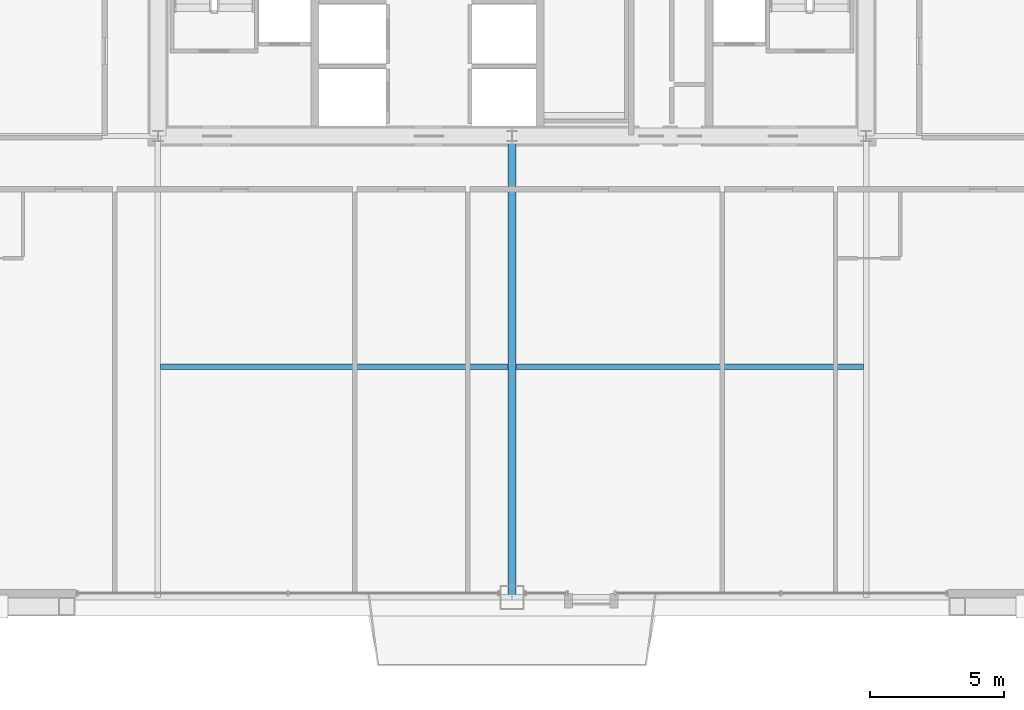
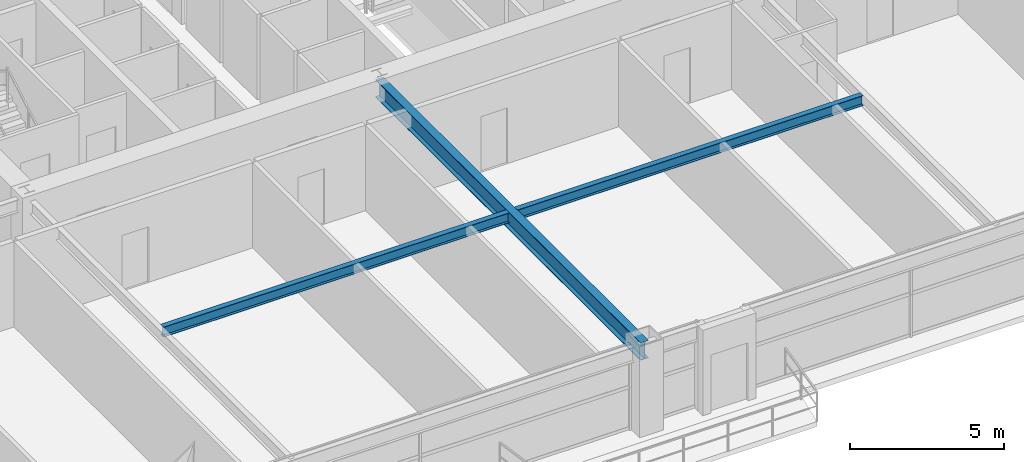
# One storey, part 10 of 41: 3 beams.
"""IFC4 building model written with IfcOpenShell, lengths in metres."""

import ifcopenshell
import ifcopenshell.guid

model = None  # the IFC model being written
_history = None  # IfcOwnerHistory: only IFC2X3 demands one
_inside = {}  # id of a spatial element -> (the spatial element, [elements in it])
_under = {}  # id of a project, library or spatial element -> (it, [spatial elements below it])
_declared = {}  # id of a project -> (the project, [libraries it declares])
_typed = {}  # id of a type object -> (the type object, [elements of that type])
_made_of = {}  # id of a material, layer set ... -> (it, [elements and type objects made of it])


def new_model(schema):
    """Start an empty IFC model of exactly this schema.

    Asked for "IFC4X3", IfcOpenShell would pick the latest addendum, in which some entities
    have other attributes; the version numbers below select the first issue.
    IFC2X3 requires an IfcOwnerHistory on every rooted entity: one is made here for all.
    """
    global model, _history
    if schema == "IFC4X3":
        model = ifcopenshell.file(schema_version=(4, 3, 0, 0))
    else:
        model = ifcopenshell.file(schema=schema)
    _inside.clear()
    _under.clear()
    _declared.clear()
    _typed.clear()
    _made_of.clear()
    _history = None
    if model.schema == "IFC2X3":
        org = make("IfcOrganization", Name="unknown")
        user = make(
            "IfcPersonAndOrganization",
            ThePerson=make("IfcPerson", FamilyName="unknown"),
            TheOrganization=org,
        )
        app = make(
            "IfcApplication",
            ApplicationDeveloper=org,
            Version="unknown",
            ApplicationFullName="unknown",
            ApplicationIdentifier="unknown",
        )
        _history = make(
            "IfcOwnerHistory",
            OwningUser=user,
            OwningApplication=app,
            ChangeAction="ADDED",
            CreationDate=0,
        )
    return model


def make(cls, **values):
    """One entity of the class cls with the attributes given. An attribute that is None is left unset."""
    return model.create_entity(
        cls, **{name: value for name, value in values.items() if value is not None}
    )


def rooted(cls, **values):
    """An entity with a GlobalId (a new one), such as an element, a storey or a relation."""
    return make(cls, GlobalId=ifcopenshell.guid.new(), OwnerHistory=_history, **values)


def si_unit(unit_type, name, prefix=None):
    """IfcSIUnit, for example si_unit("LENGTHUNIT", "METRE", prefix="MILLI")."""
    return make("IfcSIUnit", UnitType=unit_type, Prefix=prefix, Name=name)


def assignment(units):
    """IfcUnitAssignment: the units of a project."""
    return None if units is None else make("IfcUnitAssignment", Units=units)


def point(xyz):
    """IfcCartesianPoint."""
    return None if xyz is None else make("IfcCartesianPoint", Coordinates=xyz)


def direction(xyz):
    """IfcDirection."""
    return None if xyz is None else make("IfcDirection", DirectionRatios=xyz)


def frame(location, z_axis=None, x_axis=None):
    """IfcAxis2Placement3D, a coordinate frame: its origin and axes. An axis left out is left unset."""
    return make(
        "IfcAxis2Placement3D",
        Location=point(location),
        Axis=direction(z_axis),
        RefDirection=direction(x_axis),
    )


def frame_2d(location, x_axis=None):
    """IfcAxis2Placement2D, a coordinate frame in the plane: its origin and x axis."""
    return make(
        "IfcAxis2Placement2D", Location=point(location), RefDirection=direction(x_axis)
    )


def origin():
    """The frame at (0, 0, 0) with its axes left unset."""
    return frame((0.0, 0.0, 0.0))


def origin_2d():
    """The frame at (0, 0) in the plane with its x axis left unset."""
    return frame_2d((0.0, 0.0))


def place(relative_to, where):
    """IfcLocalPlacement: puts the frame where relative to a parent placement (None: the world)."""
    return make(
        "IfcLocalPlacement", PlacementRelTo=relative_to, RelativePlacement=where
    )


def context(
    kind, dimensions, precision=None, world=None, true_north=None, identifier=None
):
    """IfcGeometricRepresentationContext, for example the 3D "Model" context."""
    return make(
        "IfcGeometricRepresentationContext",
        ContextIdentifier=identifier,
        ContextType=kind,
        CoordinateSpaceDimension=dimensions,
        Precision=precision,
        WorldCoordinateSystem=world,
        TrueNorth=true_north,
    )


def subcontext(parent, identifier, kind, view, scale=None):
    """IfcGeometricRepresentationSubContext, for example "Body" below "Model"."""
    return make(
        "IfcGeometricRepresentationSubContext",
        ContextIdentifier=identifier,
        ContextType=kind,
        ParentContext=parent,
        TargetScale=scale,
        TargetView=view,
    )


def project(units=None, contexts=None):
    """IfcProject with its units and contexts."""
    return rooted(
        "IfcProject",
        Name="project",
        RepresentationContexts=contexts,
        UnitsInContext=assignment(units),
    )


def spatial(cls, under=None, at=None, **own):
    """A site, building, storey or space (cls), placed at a placement, below another one or the project."""
    s = rooted(cls, ObjectPlacement=at, **own)
    if under is not None:
        _under.setdefault(under.id(), (under, []))[1].append(s)
    return s


def profile(cls, at=None, kind="AREA", **sizes):
    """A parametric profile (cls). Its sizes go by their IFC names, for example OverallWidth=200.0."""
    return make(cls, ProfileType=kind, Position=at, **sizes)


def i_section(**sizes):
    """IfcIShapeProfileDef."""
    return profile("IfcIShapeProfileDef", **sizes)


def extrude(swept, where, along, depth):
    """IfcExtrudedAreaSolid: the profile swept, set in the frame where, extruded along a direction by depth."""
    return make(
        "IfcExtrudedAreaSolid",
        SweptArea=swept,
        Position=where,
        ExtrudedDirection=direction(along),
        Depth=depth,
    )


def shape(context_of_items, identifier, shape_type, items):
    """IfcShapeRepresentation: the items that make up one representation, for example the "Body"."""
    return make(
        "IfcShapeRepresentation",
        ContextOfItems=context_of_items,
        RepresentationIdentifier=identifier,
        RepresentationType=shape_type,
        Items=items,
    )


def source(mapping_origin, context_of_items, identifier, shape_type, items):
    """IfcRepresentationMap: a shape defined once, which mapped items show again and again."""
    return make(
        "IfcRepresentationMap",
        MappingOrigin=mapping_origin,
        MappedRepresentation=shape(context_of_items, identifier, shape_type, items),
    )


def transform(
    local_origin,
    x_axis=None,
    y_axis=None,
    z_axis=None,
    scale=None,
    scale2=None,
    scale3=None,
    uniform=True,
):
    """IfcCartesianTransformationOperator3D, or its non-uniform kind. x_axis, y_axis, z_axis: its Axis1, 2, 3."""
    if uniform:
        return make(
            "IfcCartesianTransformationOperator3D",
            Axis1=direction(x_axis),
            Axis2=direction(y_axis),
            LocalOrigin=point(local_origin),
            Scale=scale,
            Axis3=direction(z_axis),
        )
    return make(
        "IfcCartesianTransformationOperator3DnonUniform",
        Axis1=direction(x_axis),
        Axis2=direction(y_axis),
        LocalOrigin=point(local_origin),
        Scale=scale,
        Axis3=direction(z_axis),
        Scale2=scale2,
        Scale3=scale3,
    )


def mapped(mapping_source, mapping_target):
    """IfcMappedItem: shows the shape of a source again, moved by a transform."""
    return make(
        "IfcMappedItem", MappingSource=mapping_source, MappingTarget=mapping_target
    )


def material(Name=None, Category=None):
    """IfcMaterial."""
    return make("IfcMaterial", Name=Name, Category=Category)


def material_profile(
    of_material, cross_section, Name=None, Category=None, Priority=None
):
    """IfcMaterialProfile: a cross section and its material."""
    return make(
        "IfcMaterialProfile",
        Name=Name,
        Material=of_material,
        Profile=cross_section,
        Priority=Priority,
        Category=Category,
    )


def profile_set(profiles, Name=None, composite=None):
    """IfcMaterialProfileSet."""
    return make(
        "IfcMaterialProfileSet",
        Name=Name,
        MaterialProfiles=profiles,
        CompositeProfile=composite,
    )


def made_of(thing, what):
    """Note that an element or type object is made of a material, layer set ...; save() writes the relation."""
    if what is not None:
        _made_of.setdefault(what.id(), (what, []))[1].append(thing)
    return thing


def type_object(cls, material=None, **own):
    """A type object (cls), such as IfcWallType, which elements share."""
    return made_of(rooted(cls, **own), material)


def element(
    cls,
    number,
    at=None,
    inside=None,
    cuts=None,
    type_object=None,
    material=None,
    context=None,
    identifier="Body",
    shape_type=None,
    held_by="IfcProductDefinitionShape",
    body=None,
    shapes=None,
    **own,
):
    """One element of the class cls, such as IfcWall. Its Tag is "e" and its number.

    at: its placement. inside: the storey or other place that contains it. cuts: it is an
    opening in that element (IfcRelVoidsElement). A single representation is given by context,
    identifier, shape_type and body (its items); several are given by shapes. held_by: the class
    of the entity that holds the representations. save() writes the other relations.
    """
    e = rooted(cls, Tag="e%d" % number, ObjectPlacement=at, **own)
    if body is not None:
        shapes = [shape(context, identifier, shape_type, body)]
    if shapes is not None:
        e.Representation = make(held_by, Representations=shapes)
    if inside is not None:
        _inside.setdefault(inside.id(), (inside, []))[1].append(e)
    if cuts is not None:
        rooted(
            "IfcRelVoidsElement", RelatingBuildingElement=cuts, RelatedOpeningElement=e
        )
    if type_object is not None:
        _typed.setdefault(type_object.id(), (type_object, []))[1].append(e)
    return made_of(e, material)


def aggregate(whole, parts):
    """IfcRelAggregates: a whole, such as a stair, and the parts it consists of."""
    return rooted("IfcRelAggregates", RelatingObject=whole, RelatedObjects=parts)


def save(model, path):
    """Write the relations noted so far, then the file.

    IfcRelAggregates (storeys below a building ...), IfcRelContainedInSpatialStructure (elements
    in a storey), IfcRelDefinesByType, IfcRelAssociatesMaterial and IfcRelDeclares: one each for
    every whole, place, type object, material and project.
    """
    for whole, parts in _under.values():
        aggregate(whole, parts)
    for where, things in _inside.values():
        rooted(
            "IfcRelContainedInSpatialStructure",
            RelatedElements=things,
            RelatingStructure=where,
        )
    for kind, things in _typed.values():
        rooted("IfcRelDefinesByType", RelatedObjects=things, RelatingType=kind)
    for what, things in _made_of.values():
        rooted("IfcRelAssociatesMaterial", RelatedObjects=things, RelatingMaterial=what)
    for by, libraries in _declared.values():
        rooted("IfcRelDeclares", RelatingContext=by, RelatedDefinitions=libraries)
    model.write(path)


model = new_model("IFC4")

# Units and contexts
model_context = context("Model", 3, precision=1e-05, world=origin(), true_north=direction((0.0, 1.0)))
body_context = subcontext(model_context, "Body", "Model", "MODEL_VIEW")
ifc_project = project(units=[si_unit("LENGTHUNIT", "METRE"), si_unit("AREAUNIT", "SQUARE_METRE"), si_unit("VOLUMEUNIT", "CUBIC_METRE"), si_unit("PLANEANGLEUNIT", "RADIAN"), si_unit("MASSUNIT", "GRAM", prefix="KILO"), si_unit("THERMODYNAMICTEMPERATUREUNIT", "KELVIN"), si_unit("POWERUNIT", "WATT")], contexts=[model_context])

# Site, building, storey
site_placement = place(None, origin())
site = spatial("IfcSite", under=ifc_project, at=site_placement, CompositionType="ELEMENT")
building_placement = place(site_placement, origin())
building = spatial("IfcBuilding", under=site, at=building_placement, Name="Yuzanri Waterfront Tower", CompositionType="ELEMENT")
storey_placement = place(building_placement, frame((0.0, 0.0, 152.39990234375)))
storey = spatial("IfcBuildingStorey", under=building, at=storey_placement, Name="L40", CompositionType="ELEMENT", Elevation=152.39990234375)

# Beams
ifc_material_1 = material(Name="Steel Q355B", Category="steel")
ifc_material_profile_1 = material_profile(ifc_material_1, i_section(OverallWidth=0.199951171875, OverallDepth=0.39990234375, WebThickness=0.008056640625, FlangeThickness=0.012939453125, at=origin_2d()), Name="HN 400x200x8x13")
ifc_profile_set_1 = profile_set([ifc_material_profile_1], Name="Steel Q355B")
beam_type_1 = type_object("IfcBeamType", Name="Floor Joist Q355B HN 400x200", PredefinedType="JOIST", material=ifc_profile_set_1)
shared_shape_1 = source(origin(), body_context, "Body", "SweptSolid", [
    extrude(i_section(OverallWidth=0.199951171875, OverallDepth=0.39990234375, WebThickness=0.008056640625, FlangeThickness=0.012939453125, at=origin_2d()), origin(), (0.0, 0.0, 1.0), 12.9501953125),
])
for number, where, z_axis, x_axis, name in (
    (1, (23.89990234375, 10.800048828125, 3.18017578125), (1.0, 0.0, 0.0), (0.0, 1.0, 0.0), "L40 South Bay Joist W"),
    (2, (37.14990234375, 10.800048828125, 3.18017578125), (1.0, 0.0, 0.0), (0.0, 1.0, 0.0), "L40 South Bay Joist E"),
):
    element("IfcBeam", number, at=place(storey_placement, frame(where, z_axis=z_axis, x_axis=x_axis)), inside=storey, type_object=beam_type_1, Name=name, PredefinedType="JOIST", context=body_context, shape_type="MappedRepresentation", body=[
        mapped(shared_shape_1, transform((0.0, 0.0, 0.0), scale=1.0)),
    ])
ifc_material_2 = material(Name="Steel Q355B", Category="steel")
ifc_material_profile_2 = material_profile(ifc_material_2, i_section(OverallWidth=0.300048828125, OverallDepth=0.699951171875, WebThickness=0.012939453125, FlangeThickness=0.02392578125, at=origin_2d()), Name="HN 700x300x13x24")
ifc_profile_set_2 = profile_set([ifc_material_profile_2], Name="Steel Q355B")
beam_type_2 = type_object("IfcBeamType", Name="Primary Floor Girder Q355B HN 700x300", PredefinedType="BEAM", material=ifc_profile_set_2)
shared_shape_2 = source(origin(), body_context, "Body", "SweptSolid", [
    extrude(i_section(OverallWidth=0.300048828125, OverallDepth=0.699951171875, WebThickness=0.012939453125, FlangeThickness=0.02392578125, at=origin_2d()), origin(), (0.0, 0.0, 1.0), 17.199951171875),
])
beam_placement = place(storey_placement, frame((37.0, 19.39990234375, 3.030029296875), z_axis=(0.0, -1.0, 0.0), x_axis=(1.0, 0.0, 0.0)))
element("IfcBeam", 3, at=beam_placement, inside=storey, type_object=beam_type_2, Name="L40 South Grid Girder", PredefinedType="BEAM", context=body_context, shape_type="MappedRepresentation", body=[
    mapped(shared_shape_2, transform((0.0, 0.0, 0.0), scale=1.0)),
])

save(model, "model.ifc")
